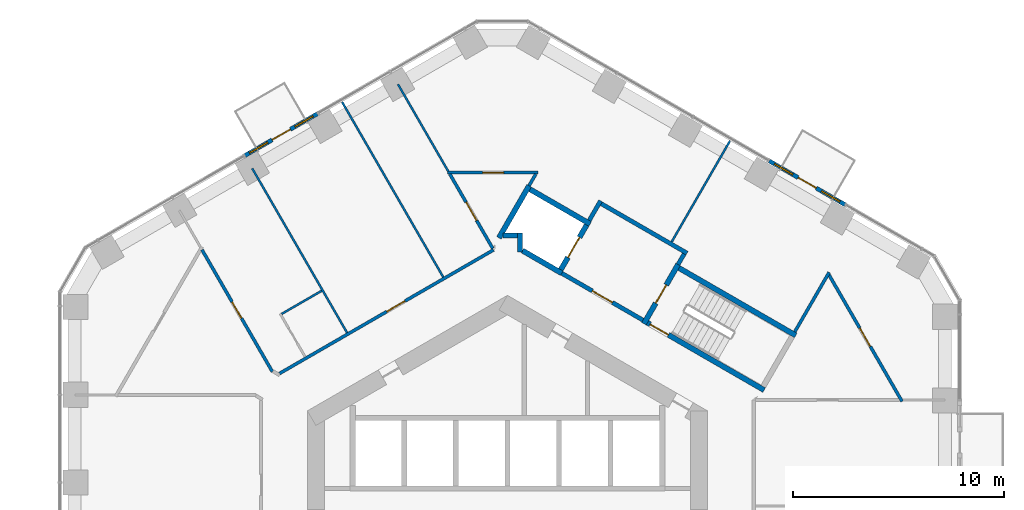
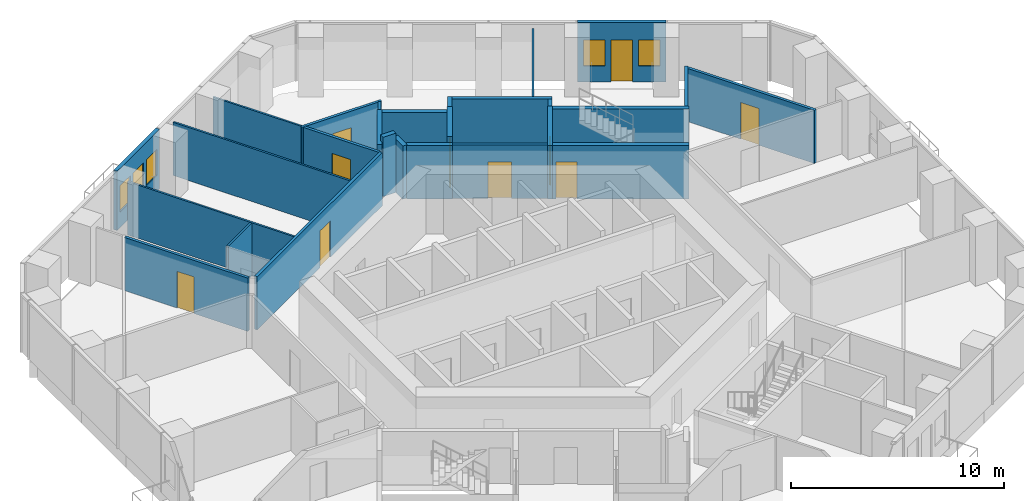
# One storey, part 15 of 19: 27 walls, 11 doors, 4 windows, 15 openings.
"""IFC4 building model written with IfcOpenShell, lengths in metres."""

from ifc_helpers import new_model, si_unit, direction, frame, frame_2d, origin, place, context, subcontext, project, spatial, rectangle, extrude, material, layer, layer_set, type_object, element, fill, save


model = new_model("IFC4")

# Units and contexts
model_context = context("Model", 3, precision=1e-05, world=origin(), true_north=direction((0.0, 1.0)))
body_context = subcontext(model_context, "Body", "Model", "MODEL_VIEW")
ifc_project = project(units=[si_unit("LENGTHUNIT", "METRE"), si_unit("AREAUNIT", "SQUARE_METRE"), si_unit("VOLUMEUNIT", "CUBIC_METRE"), si_unit("PLANEANGLEUNIT", "RADIAN"), si_unit("MASSUNIT", "GRAM", prefix="KILO")], contexts=[model_context])

# Site, building, storey
site_placement = place(None, origin())
site = spatial("IfcSite", under=ifc_project, at=site_placement, CompositionType="ELEMENT")
building_placement = place(site_placement, origin())
building = spatial("IfcBuilding", under=site, at=building_placement, Name="Ayvan Gate Tower", CompositionType="ELEMENT")
storey_placement = place(building_placement, frame((0.0, 0.0, 39.10009765625)))
storey = spatial("IfcBuildingStorey", under=building, at=storey_placement, Name="L09", CompositionType="ELEMENT", Elevation=39.10009765625)

# Wall, openings, door, windows
ifc_material_1 = material(Name="Insulated metal panel wall")
ifc_layer_1 = layer(ifc_material_1, 0.199951171875)
ifc_layer_set_1 = layer_set([ifc_layer_1], Name="Insulated metal panel wall")
wall_type_1 = type_object("IfcWallType", Name="Balcony door wall 200", PredefinedType="SOLIDWALL", material=ifc_layer_set_1)
wall_1_placement = place(storey_placement, frame((-9.01708984375, 19.602294921875, 0.0), z_axis=(0.0, 0.0, 1.0), x_axis=(-0.866017214255, -0.500014184414, 0.0)))
wall_1 = element("IfcWall", 1, at=wall_1_placement, inside=storey, type_object=wall_type_1, Name="EW:L09:2:2", PredefinedType="SOLIDWALL", context=body_context, shape_type="SweptSolid", body=[
    extrude(rectangle(XDim=3.984375, YDim=0.199951171875, at=frame_2d((1.9921875, 0.0))), origin(), (0.0, 0.0, 1.0), 3.39990234375),
])
opening_1_placement = place(wall_1_placement, frame((1.491943359375, 0.0, 0.0)))
opening_1 = element("IfcOpeningElement", 2, at=opening_1_placement, cuts=wall_1, Name="Opening L09-D92", PredefinedType="OPENING", context=body_context, shape_type="SweptSolid", body=[
    extrude(rectangle(XDim=1.0, YDim=2.39990234375, at=frame_2d((0.5, 1.199951171875))), frame((0.0, 0.10986328125, 0.0), z_axis=(0.0, -1.0, 0.0), x_axis=(1.0, 0.0, 0.0)), (0.0, 0.0, 1.0), 0.219970703125),
])
opening_2_placement = place(wall_1_placement, frame((0.24609375, 0.0, 0.89990234375)))
opening_2 = element("IfcOpeningElement", 3, at=opening_2_placement, cuts=wall_1, Name="Opening W-B1", PredefinedType="OPENING", context=body_context, shape_type="SweptSolid", body=[
    extrude(rectangle(XDim=1.0, YDim=1.5, at=frame_2d((0.5, 0.75))), frame((0.0, 0.10986328125, 0.0), z_axis=(0.0, -1.0, 0.0), x_axis=(1.0, 0.0, 0.0)), (0.0, 0.0, 1.0), 0.219970703125),
])
opening_3_placement = place(wall_1_placement, frame((2.738037109375, 0.0, 0.89990234375)))
opening_3 = element("IfcOpeningElement", 4, at=opening_3_placement, cuts=wall_1, Name="Opening W-B1", PredefinedType="OPENING", context=body_context, shape_type="SweptSolid", body=[
    extrude(rectangle(XDim=1.0, YDim=1.5, at=frame_2d((0.5, 0.75))), frame((0.0, 0.10986328125, 0.0), z_axis=(0.0, -1.0, 0.0), x_axis=(1.0, 0.0, 0.0)), (0.0, 0.0, 1.0), 0.219970703125),
])
ifc_material_2 = material(Name="Bronze anodised aluminium and clear glass", Category="aluminium")
door_type_1 = type_object("IfcDoorType", Name="Balcony door D-B", OperationType="SINGLE_SWING_RIGHT", PredefinedType="DOOR", material=ifc_material_2)
door_1_placement = place(opening_1_placement, origin())
door_1 = element("IfcDoor", 5, at=door_1_placement, inside=storey, type_object=door_type_1, Name="Balcony door BAL-L09-2", OperationType="SINGLE_SWING_RIGHT", OverallHeight=2.39990234375, OverallWidth=1.0, PredefinedType="DOOR", context=body_context, shape_type="SweptSolid", body=[
    extrude(rectangle(XDim=1.0, YDim=2.39990234375, at=frame_2d((0.5, 1.199951171875))), frame((0.0, 0.02490234375, 0.0), z_axis=(0.0, -1.0, 0.0), x_axis=(1.0, 0.0, 0.0)), (0.0, 0.0, 1.0), 0.050048828125),
])
fill(opening_1, door_1)
window_type = type_object("IfcWindowType", Name="Balcony side light W-B Z1", PartitioningType="SINGLE_PANEL", PredefinedType="WINDOW", material=ifc_material_2)
window_1_placement = place(opening_2_placement, origin())
window_1 = element("IfcWindow", 6, at=window_1_placement, inside=storey, type_object=window_type, Name="Balcony side light BAL-L09-2.1", OverallHeight=1.5, OverallWidth=1.0, PartitioningType="SINGLE_PANEL", PredefinedType="WINDOW", context=body_context, shape_type="SweptSolid", body=[
    extrude(rectangle(XDim=1.0, YDim=1.5, at=frame_2d((0.5, 0.75))), frame((0.0, 0.030029296875, 0.0), z_axis=(0.0, -1.0, 0.0), x_axis=(1.0, 0.0, 0.0)), (0.0, 0.0, 1.0), 0.06005859375),
])
fill(opening_2, window_1)
window_2_placement = place(opening_3_placement, origin())
window_2 = element("IfcWindow", 7, at=window_2_placement, inside=storey, type_object=window_type, Name="Balcony side light BAL-L09-2.2", OverallHeight=1.5, OverallWidth=1.0, PartitioningType="SINGLE_PANEL", PredefinedType="WINDOW", context=body_context, shape_type="SweptSolid", body=[
    extrude(rectangle(XDim=1.0, YDim=1.5, at=frame_2d((0.5, 0.75))), frame((0.0, 0.030029296875, 0.0), z_axis=(0.0, -1.0, 0.0), x_axis=(1.0, 0.0, 0.0)), (0.0, 0.0, 1.0), 0.06005859375),
])
fill(opening_3, window_2)

wall_2_placement = place(storey_placement, frame((16.0390625, 15.274169921875, 0.0), z_axis=(0.0, 0.0, 1.0), x_axis=(-0.866036386482, 0.499980976928, 0.0)))
wall_2 = element("IfcWall", 8, at=wall_2_placement, inside=storey, type_object=wall_type_1, Name="EW:L09:1:1", PredefinedType="SOLIDWALL", context=body_context, shape_type="SweptSolid", body=[
    extrude(rectangle(XDim=4.169189453125, YDim=0.199951171875, at=frame_2d((2.08447265625, 0.0))), origin(), (0.0, 0.0, 1.0), 3.39990234375),
])
opening_4_placement = place(wall_2_placement, frame((1.58447265625, 0.0, 0.0)))
opening_4 = element("IfcOpeningElement", 9, at=opening_4_placement, cuts=wall_2, Name="Opening L09-D91", PredefinedType="OPENING", context=body_context, shape_type="SweptSolid", body=[
    extrude(rectangle(XDim=1.0, YDim=2.39990234375, at=frame_2d((0.5, 1.199951171875))), frame((0.0, 0.10986328125, 0.0), z_axis=(0.0, -1.0, 0.0), x_axis=(1.0, 0.0, 0.0)), (0.0, 0.0, 1.0), 0.219970703125),
])
opening_5_placement = place(wall_2_placement, frame((0.292236328125, 0.0, 0.89990234375)))
opening_5 = element("IfcOpeningElement", 10, at=opening_5_placement, cuts=wall_2, Name="Opening W-B1", PredefinedType="OPENING", context=body_context, shape_type="SweptSolid", body=[
    extrude(rectangle(XDim=1.0, YDim=1.5, at=frame_2d((0.5, 0.75))), frame((0.0, 0.10986328125, 0.0), z_axis=(0.0, -1.0, 0.0), x_axis=(1.0, 0.0, 0.0)), (0.0, 0.0, 1.0), 0.219970703125),
])
opening_6_placement = place(wall_2_placement, frame((2.876708984375, 0.0, 0.89990234375)))
opening_6 = element("IfcOpeningElement", 11, at=opening_6_placement, cuts=wall_2, Name="Opening W-B1", PredefinedType="OPENING", context=body_context, shape_type="SweptSolid", body=[
    extrude(rectangle(XDim=1.0, YDim=1.5, at=frame_2d((0.5, 0.75))), frame((0.0, 0.10986328125, 0.0), z_axis=(0.0, -1.0, 0.0), x_axis=(1.0, 0.0, 0.0)), (0.0, 0.0, 1.0), 0.219970703125),
])
door_2_placement = place(opening_4_placement, origin())
door_2 = element("IfcDoor", 12, at=door_2_placement, inside=storey, type_object=door_type_1, Name="Balcony door BAL-L09-1", OperationType="SINGLE_SWING_RIGHT", OverallHeight=2.39990234375, OverallWidth=1.0, PredefinedType="DOOR", context=body_context, shape_type="SweptSolid", body=[
    extrude(rectangle(XDim=1.0, YDim=2.39990234375, at=frame_2d((0.5, 1.199951171875))), frame((0.0, 0.02490234375, 0.0), z_axis=(0.0, -1.0, 0.0), x_axis=(1.0, 0.0, 0.0)), (0.0, 0.0, 1.0), 0.050048828125),
])
fill(opening_4, door_2)
window_3_placement = place(opening_5_placement, origin())
window_3 = element("IfcWindow", 13, at=window_3_placement, inside=storey, type_object=window_type, Name="Balcony side light BAL-L09-1.1", OverallHeight=1.5, OverallWidth=1.0, PartitioningType="SINGLE_PANEL", PredefinedType="WINDOW", context=body_context, shape_type="SweptSolid", body=[
    extrude(rectangle(XDim=1.0, YDim=1.5, at=frame_2d((0.5, 0.75))), frame((0.0, 0.030029296875, 0.0), z_axis=(0.0, -1.0, 0.0), x_axis=(1.0, 0.0, 0.0)), (0.0, 0.0, 1.0), 0.06005859375),
])
fill(opening_5, window_3)
window_4_placement = place(opening_6_placement, origin())
window_4 = element("IfcWindow", 14, at=window_4_placement, inside=storey, type_object=window_type, Name="Balcony side light BAL-L09-1.2", OverallHeight=1.5, OverallWidth=1.0, PartitioningType="SINGLE_PANEL", PredefinedType="WINDOW", context=body_context, shape_type="SweptSolid", body=[
    extrude(rectangle(XDim=1.0, YDim=1.5, at=frame_2d((0.5, 0.75))), frame((0.0, 0.030029296875, 0.0), z_axis=(0.0, -1.0, 0.0), x_axis=(1.0, 0.0, 0.0)), (0.0, 0.0, 1.0), 0.06005859375),
])
fill(opening_6, window_4)

# Wall, opening, door
ifc_material_3 = material(Name="Plasterboard on steel stud", Category="steel")
ifc_layer_2 = layer(ifc_material_3, 0.14990234375)
ifc_layer_set_2 = layer_set([ifc_layer_2], Name="Plasterboard on steel stud")
wall_type_2 = type_object("IfcWallType", Name="WT-CORR-150", PredefinedType="PARTITIONING", material=ifc_layer_set_2)
wall_3_placement = place(storey_placement, frame((-14.5087890625, 13.1376953125, 0.0), z_axis=(0.0, 0.0, 1.0), x_axis=(0.499975272495, -0.866039679746, 0.0)))
wall_3 = element("IfcWall", 15, at=wall_3_placement, inside=storey, type_object=wall_type_2, Name="IW-L09-009", PredefinedType="PARTITIONING", context=body_context, shape_type="SweptSolid", body=[
    extrude(rectangle(XDim=6.687255859375, YDim=0.14990234375, at=frame_2d((3.34375, 0.0))), origin(), (0.0, 0.0, 1.0), 3.0498046875),
])
opening_7_placement = place(wall_3_placement, frame((2.856201171875, 0.0, 0.0)))
opening_7 = element("IfcOpeningElement", 16, at=opening_7_placement, cuts=wall_3, Name="Opening L09-D35", PredefinedType="OPENING", context=body_context, shape_type="SweptSolid", body=[
    extrude(rectangle(XDim=0.89990234375, YDim=2.10009765625, at=frame_2d((0.449951171875, 1.050048828125))), frame((0.0, 0.0849609375, 0.0), z_axis=(0.0, -1.0, 0.0), x_axis=(1.0, 0.0, 0.0)), (0.0, 0.0, 1.0), 0.169921875),
])
ifc_material_4 = material(Name="Timber door leaf", Category="wood")
door_type_2 = type_object("IfcDoorType", Name="DT-900", OperationType="NOTDEFINED", PredefinedType="DOOR", material=ifc_material_4)
door_3_placement = place(opening_7_placement, origin())
door_3 = element("IfcDoor", 17, at=door_3_placement, inside=storey, type_object=door_type_2, Name="ID-L09-035", OperationType="SINGLE_SWING_RIGHT", OverallHeight=2.10009765625, OverallWidth=0.89990234375, PredefinedType="DOOR", context=body_context, shape_type="SweptSolid", body=[
    extrude(rectangle(XDim=0.89990234375, YDim=2.10009765625, at=frame_2d((0.449951171875, 1.050048828125))), frame((0.0, 0.02490234375, 0.0), z_axis=(0.0, -1.0, 0.0), x_axis=(1.0, 0.0, 0.0)), (0.0, 0.0, 1.0), 0.050048828125),
])
fill(opening_7, door_3)

wall_4_placement = place(storey_placement, frame((-10.82763671875, 7.258544921875, 0.0), z_axis=(0.0, 0.0, 1.0), x_axis=(0.866023917287, 0.50000257468, 0.0)))
wall_4 = element("IfcWall", 18, at=wall_4_placement, inside=storey, type_object=wall_type_2, Name="IW-L09-022", PredefinedType="PARTITIONING", context=body_context, shape_type="SweptSolid", body=[
    extrude(rectangle(XDim=11.744140625, YDim=0.14990234375, at=frame_2d((5.8720703125, 0.0))), origin(), (0.0, 0.0, 1.0), 3.0498046875),
])
opening_8_placement = place(wall_4_placement, frame((5.887451171875, 0.0, 0.0)))
opening_8 = element("IfcOpeningElement", 19, at=opening_8_placement, cuts=wall_4, Name="Opening L09-D34", PredefinedType="OPENING", context=body_context, shape_type="SweptSolid", body=[
    extrude(rectangle(XDim=1.0, YDim=2.10009765625, at=frame_2d((0.5, 1.050048828125))), frame((0.0, 0.0849609375, 0.0), z_axis=(0.0, -1.0, 0.0), x_axis=(1.0, 0.0, 0.0)), (0.0, 0.0, 1.0), 0.169921875),
])
door_type_3 = type_object("IfcDoorType", Name="DT-1000", OperationType="NOTDEFINED", PredefinedType="DOOR", material=ifc_material_4)
door_4_placement = place(opening_8_placement, origin())
door_4 = element("IfcDoor", 20, at=door_4_placement, inside=storey, type_object=door_type_3, Name="ID-L09-034", OperationType="SINGLE_SWING_LEFT", OverallHeight=2.10009765625, OverallWidth=1.0, PredefinedType="DOOR", context=body_context, shape_type="SweptSolid", body=[
    extrude(rectangle(XDim=1.0, YDim=2.10009765625, at=frame_2d((0.5, 1.050048828125))), frame((0.0, 0.02490234375, 0.0), z_axis=(0.0, -1.0, 0.0), x_axis=(1.0, 0.0, 0.0)), (0.0, 0.0, 1.0), 0.050048828125),
])
fill(opening_8, door_4)

wall_5_placement = place(storey_placement, frame((-2.849853515625, 16.798828125, 0.0), z_axis=(0.0, 0.0, 1.0), x_axis=(1.0, 0.0, 0.0)))
wall_5 = element("IfcWall", 21, at=wall_5_placement, inside=storey, type_object=wall_type_2, Name="IW-L09-051", PredefinedType="PARTITIONING", context=body_context, shape_type="SweptSolid", body=[
    extrude(rectangle(XDim=4.309814453125, YDim=0.14990234375, at=frame_2d((2.15478515625, 0.0))), origin(), (0.0, 0.0, 1.0), 3.0498046875),
])
opening_9_placement = place(wall_5_placement, frame((1.672119140625, 0.0, 0.0)))
opening_9 = element("IfcOpeningElement", 22, at=opening_9_placement, cuts=wall_5, Name="Opening L09-D20", PredefinedType="OPENING", context=body_context, shape_type="SweptSolid", body=[
    extrude(rectangle(XDim=1.0, YDim=2.10009765625, at=frame_2d((0.5, 1.050048828125))), frame((0.0, 0.0849609375, 0.0), z_axis=(0.0, -1.0, 0.0), x_axis=(1.0, 0.0, 0.0)), (0.0, 0.0, 1.0), 0.169921875),
])
door_5_placement = place(opening_9_placement, origin())
door_5 = element("IfcDoor", 23, at=door_5_placement, inside=storey, type_object=door_type_3, Name="ID-L09-020", OperationType="SINGLE_SWING_LEFT", OverallHeight=2.10009765625, OverallWidth=1.0, PredefinedType="DOOR", context=body_context, shape_type="SweptSolid", body=[
    extrude(rectangle(XDim=1.0, YDim=2.10009765625, at=frame_2d((0.5, 1.050048828125))), frame((0.0, 0.02490234375, 0.0), z_axis=(0.0, -1.0, 0.0), x_axis=(1.0, 0.0, 0.0)), (0.0, 0.0, 1.0), 0.050048828125),
])
fill(opening_9, door_5)

wall_6_placement = place(storey_placement, frame((-0.695068359375, 13.1962890625, 0.0), z_axis=(0.0, 0.0, 1.0), x_axis=(-0.49996389635, 0.866046247233, 0.0)))
wall_6 = element("IfcWall", 24, at=wall_6_placement, inside=storey, type_object=wall_type_2, Name="IW-L09-058", PredefinedType="PARTITIONING", context=body_context, shape_type="SweptSolid", body=[
    extrude(rectangle(XDim=4.084716796875, YDim=0.14990234375, at=frame_2d((2.04248046875, 0.0))), origin(), (0.0, 0.0, 1.0), 3.0498046875),
])
opening_10_placement = place(wall_6_placement, frame((1.54248046875, 0.0, 0.0)))
opening_10 = element("IfcOpeningElement", 25, at=opening_10_placement, cuts=wall_6, Name="Opening L09-D33", PredefinedType="OPENING", context=body_context, shape_type="SweptSolid", body=[
    extrude(rectangle(XDim=1.0, YDim=2.10009765625, at=frame_2d((0.5, 1.050048828125))), frame((0.0, 0.0849609375, 0.0), z_axis=(0.0, -1.0, 0.0), x_axis=(1.0, 0.0, 0.0)), (0.0, 0.0, 1.0), 0.169921875),
])
door_6_placement = place(opening_10_placement, origin())
door_6 = element("IfcDoor", 26, at=door_6_placement, inside=storey, type_object=door_type_3, Name="ID-L09-033", OperationType="SINGLE_SWING_RIGHT", OverallHeight=2.10009765625, OverallWidth=1.0, PredefinedType="DOOR", context=body_context, shape_type="SweptSolid", body=[
    extrude(rectangle(XDim=1.0, YDim=2.10009765625, at=frame_2d((0.5, 1.050048828125))), frame((0.0, 0.02490234375, 0.0), z_axis=(0.0, -1.0, 0.0), x_axis=(1.0, 0.0, 0.0)), (0.0, 0.0, 1.0), 0.050048828125),
])
fill(opening_10, door_6)

# Walls
wall_7_placement = place(storey_placement, frame((1.347412109375, 16.73388671875, 0.0), z_axis=(0.0, 0.0, 1.0), x_axis=(-0.499909361484, -0.866077727632, 0.0)))
element("IfcWall", 27, at=wall_7_placement, inside=storey, type_object=wall_type_2, Name="IW-L09-070", PredefinedType="PARTITIONING", context=body_context, shape_type="SweptSolid", body=[
    extrude(rectangle(XDim=0.640625, YDim=0.14990234375, at=frame_2d((0.3203125, 0.0))), origin(), (0.0, 0.0, 1.0), 3.0498046875),
])
wall_8_placement = place(storey_placement, frame((13.647705078125, 9.23876953125, 0.0), z_axis=(0.0, 0.0, 1.0), x_axis=(0.500026945261, 0.866009846372, 0.0)))
element("IfcWall", 28, at=wall_8_placement, inside=storey, type_object=wall_type_2, Name="IW-L09-110", PredefinedType="PARTITIONING", context=body_context, shape_type="SweptSolid", body=[
    extrude(rectangle(XDim=3.261962890625, YDim=0.14990234375, at=frame_2d((1.630859375, 0.0))), origin(), (0.0, 0.0, 1.0), 3.0498046875),
])

# Wall, opening, door
wall_9_placement = place(storey_placement, frame((15.27880859375, 11.933837890625, 0.0), z_axis=(0.0, 0.0, 1.0), x_axis=(0.500007034647, -0.866021342291, 0.0)))
wall_9 = element("IfcWall", 29, at=wall_9_placement, inside=storey, type_object=wall_type_2, Name="IW-L09-113", PredefinedType="PARTITIONING", context=body_context, shape_type="SweptSolid", body=[
    extrude(rectangle(XDim=6.93115234375, YDim=0.14990234375, at=frame_2d((3.465576171875, 0.0))), origin(), (0.0, 0.0, 1.0), 3.0498046875),
])
opening_11_placement = place(wall_9_placement, frame((2.91064453125, 0.0, 0.0)))
opening_11 = element("IfcOpeningElement", 30, at=opening_11_placement, cuts=wall_9, Name="Opening L09-D19", PredefinedType="OPENING", context=body_context, shape_type="SweptSolid", body=[
    extrude(rectangle(XDim=1.0, YDim=2.10009765625, at=frame_2d((0.5, 1.050048828125))), frame((0.0, 0.0849609375, 0.0), z_axis=(0.0, -1.0, 0.0), x_axis=(1.0, 0.0, 0.0)), (0.0, 0.0, 1.0), 0.169921875),
])
door_7_placement = place(opening_11_placement, origin())
door_7 = element("IfcDoor", 31, at=door_7_placement, inside=storey, type_object=door_type_3, Name="ID-L09-019", OperationType="SINGLE_SWING_RIGHT", OverallHeight=2.10009765625, OverallWidth=1.0, PredefinedType="DOOR", context=body_context, shape_type="SweptSolid", body=[
    extrude(rectangle(XDim=1.0, YDim=2.10009765625, at=frame_2d((0.5, 1.050048828125))), frame((0.0, 0.02490234375, 0.0), z_axis=(0.0, -1.0, 0.0), x_axis=(1.0, 0.0, 0.0)), (0.0, 0.0, 1.0), 0.050048828125),
])
fill(opening_11, door_7)

# Walls
ifc_layer_3 = layer(ifc_material_3, 0.10009765625)
ifc_layer_set_3 = layer_set([ifc_layer_3], Name="Plasterboard on steel stud")
wall_type_3 = type_object("IfcWallType", Name="WT-PART-100", PredefinedType="PARTITIONING", material=ifc_layer_set_3)
wall_10_placement = place(storey_placement, frame((-8.82421875, 11.1865234375, 0.0), z_axis=(0.0, 0.0, 1.0), x_axis=(-0.866046828231, -0.499962889934, 0.0)))
element("IfcWall", 32, at=wall_10_placement, inside=storey, type_object=wall_type_3, Name="IW-L09-027", PredefinedType="PARTITIONING", context=body_context, shape_type="SweptSolid", body=[
    extrude(rectangle(XDim=2.197509765625, YDim=0.10009765625, at=frame_2d((1.0986328125, 0.0))), origin(), (0.0, 0.0, 1.0), 3.0498046875),
])
wall_11_placement = place(storey_placement, frame((-12.123291015625, 17.00048828125, 0.0), z_axis=(0.0, 0.0, 1.0), x_axis=(0.500009404554, -0.866019973994, 0.0)))
element("IfcWall", 33, at=wall_11_placement, inside=storey, type_object=wall_type_3, Name="IW-L09-028", PredefinedType="PARTITIONING", context=body_context, shape_type="SweptSolid", body=[
    extrude(rectangle(XDim=9.009521484375, YDim=0.10009765625, at=frame_2d((4.5048828125, 0.0))), origin(), (0.0, 0.0, 1.0), 3.0498046875),
])
wall_12_placement = place(storey_placement, frame((-3.048583984375, 11.83642578125, 0.0), z_axis=(0.0, 0.0, 1.0), x_axis=(-0.500018000043, 0.866015011206, 0.0)))
element("IfcWall", 34, at=wall_12_placement, inside=storey, type_object=wall_type_3, Name="IW-L09-049", PredefinedType="PARTITIONING", context=body_context, shape_type="SweptSolid", body=[
    extrude(rectangle(XDim=9.605712890625, YDim=0.10009765625, at=frame_2d((4.802734375, 0.0))), origin(), (0.0, 0.0, 1.0), 3.0498046875),
])
wall_13_placement = place(storey_placement, frame((-2.8125, 16.86376953125, 0.0), z_axis=(0.0, 0.0, 1.0), x_axis=(-0.49998363006, 0.866034854768, 0.0)))
element("IfcWall", 35, at=wall_13_placement, inside=storey, type_object=wall_type_3, Name="IW-L09-050", PredefinedType="PARTITIONING", context=body_context, shape_type="SweptSolid", body=[
    extrude(rectangle(XDim=4.774169921875, YDim=0.10009765625, at=frame_2d((2.38720703125, 0.0))), origin(), (0.0, 0.0, 1.0), 3.0498046875),
])
wall_14_placement = place(storey_placement, frame((7.800048828125, 13.510009765625, 0.0), z_axis=(0.0, 0.0, 1.0), x_axis=(0.4999855202, 0.866033763539, 0.0)))
element("IfcWall", 36, at=wall_14_placement, inside=storey, type_object=wall_type_3, Name="IW-L09-094", PredefinedType="PARTITIONING", context=body_context, shape_type="SweptSolid", body=[
    extrude(rectangle(XDim=5.543212890625, YDim=0.10009765625, at=frame_2d((2.771484375, 0.0))), origin(), (0.0, 0.0, 1.0), 3.0498046875),
])
ifc_layer_4 = layer(ifc_material_3, 0.199951171875)
ifc_layer_set_4 = layer_set([ifc_layer_4], Name="Plasterboard on steel stud")
wall_type_4 = type_object("IfcWallType", Name="WT-RATED-200", PredefinedType="PARTITIONING", material=ifc_layer_set_4)
wall_15_placement = place(storey_placement, frame((3.885009765625, 14.52880859375, 0.0), z_axis=(0.0, 0.0, 1.0), x_axis=(0.499997628298, 0.866026773083, 0.0)))
element("IfcWall", 37, at=wall_15_placement, inside=storey, type_object=wall_type_4, Name="IW-L09-082", PredefinedType="PARTITIONING", context=body_context, shape_type="SweptSolid", body=[
    extrude(rectangle(XDim=1.0751953125, YDim=0.199951171875, at=frame_2d((0.53759765625, 0.0))), origin(), (0.0, 0.0, 1.0), 3.0498046875),
])
wall_16_placement = place(storey_placement, frame((4.458984375, 15.323486328125, 0.0), z_axis=(0.0, 0.0, 1.0), x_axis=(0.866016039709, -0.500016218704, 0.0)))
element("IfcWall", 38, at=wall_16_placement, inside=storey, type_object=wall_type_4, Name="IW-L09-083", PredefinedType="PARTITIONING", context=body_context, shape_type="SweptSolid", body=[
    extrude(rectangle(XDim=4.699951171875, YDim=0.199951171875, at=frame_2d((2.35009765625, 0.0))), origin(), (0.0, 0.0, 1.0), 3.0498046875),
])

# Wall, opening, door
wall_17_placement = place(storey_placement, frame((6.4345703125, 9.794921875, 0.0), z_axis=(0.0, 0.0, 1.0), x_axis=(-0.866012907634, 0.500021643343, 0.0)))
wall_17 = element("IfcWall", 39, at=wall_17_placement, inside=storey, type_object=wall_type_4, Name="IW-L09-086", PredefinedType="PARTITIONING", context=body_context, shape_type="SweptSolid", body=[
    extrude(rectangle(XDim=4.449951171875, YDim=0.199951171875, at=frame_2d((2.22509765625, 0.0))), origin(), (0.0, 0.0, 1.0), 3.0498046875),
])
opening_12_placement = place(wall_17_placement, frame((1.675048828125, 0.0, 0.0)))
opening_12 = element("IfcOpeningElement", 40, at=opening_12_placement, cuts=wall_17, Name="Opening L09-D08", PredefinedType="OPENING", context=body_context, shape_type="SweptSolid", body=[
    extrude(rectangle(XDim=1.10009765625, YDim=2.10009765625, at=frame_2d((0.550048828125, 1.050048828125))), frame((0.0, 0.10986328125, 0.0), z_axis=(0.0, -1.0, 0.0), x_axis=(1.0, 0.0, 0.0)), (0.0, 0.0, 1.0), 0.219970703125),
])
door_type_4 = type_object("IfcDoorType", Name="DT-1100", OperationType="NOTDEFINED", PredefinedType="DOOR", material=ifc_material_4)
door_8_placement = place(opening_12_placement, origin())
door_8 = element("IfcDoor", 41, at=door_8_placement, inside=storey, type_object=door_type_4, Name="ID-L09-008", OperationType="SINGLE_SWING_LEFT", OverallHeight=2.10009765625, OverallWidth=1.10009765625, PredefinedType="DOOR", context=body_context, shape_type="SweptSolid", body=[
    extrude(rectangle(XDim=1.10009765625, YDim=2.10009765625, at=frame_2d((0.550048828125, 1.050048828125))), frame((0.0, 0.02490234375, 0.0), z_axis=(0.0, -1.0, 0.0), x_axis=(1.0, 0.0, 0.0)), (0.0, 0.0, 1.0), 0.050048828125),
])
fill(opening_12, door_8)

# Walls
wall_18_placement = place(storey_placement, frame((8.392822265625, 12.936767578125, 0.0), z_axis=(0.0, 0.0, 1.0), x_axis=(-0.500065409566, -0.86598763626, 0.0)))
element("IfcWall", 42, at=wall_18_placement, inside=storey, type_object=wall_type_4, Name="IW-L09-096", PredefinedType="PARTITIONING", context=body_context, shape_type="SweptSolid", body=[
    extrude(rectangle(XDim=0.5751953125, YDim=0.199951171875, at=frame_2d((0.28759765625, 0.0))), origin(), (0.0, 0.0, 1.0), 3.0498046875),
])
ifc_material_5 = material(Name="Concrete C50/60", Category="concrete")
ifc_layer_5 = layer(ifc_material_5, 0.25)
ifc_layer_set_5 = layer_set([ifc_layer_5], Name="Concrete C50/60")
wall_type_5 = type_object("IfcWallType", Name="WT-RC-250", PredefinedType="SHEAR", material=ifc_layer_set_5)
wall_19_placement = place(storey_placement, frame((-0.403076171875, 13.70166015625, 0.0), z_axis=(0.0, 0.0, 1.0), x_axis=(0.499976111731, 0.866039195244, 0.0)))
element("IfcWall", 43, at=wall_19_placement, inside=storey, type_object=wall_type_5, Name="IW-L09-062", PredefinedType="SHEAR", context=body_context, shape_type="SweptSolid", body=[
    extrude(rectangle(XDim=2.860595703125, YDim=0.25, at=frame_2d((1.43017578125, 0.0))), origin(), (0.0, 0.0, 1.0), 3.0498046875),
])
wall_20_placement = place(storey_placement, frame((0.60009765625, 13.03857421875, 0.0), z_axis=(0.0, 0.0, 1.0), x_axis=(0.0, 1.0, 0.0)))
element("IfcWall", 44, at=wall_20_placement, inside=storey, type_object=wall_type_5, Name="IW-L09-066", PredefinedType="SHEAR", context=body_context, shape_type="SweptSolid", body=[
    extrude(rectangle(XDim=0.896484375, YDim=0.25, at=frame_2d((0.4482421875, 0.0))), origin(), (0.0, 0.0, 1.0), 3.0498046875),
])
wall_21_placement = place(storey_placement, frame((0.47509765625, 13.81005859375, 0.0), z_axis=(0.0, 0.0, 1.0), x_axis=(-1.0, 0.0, 0.0)))
element("IfcWall", 45, at=wall_21_placement, inside=storey, type_object=wall_type_5, Name="IW-L09-067", PredefinedType="SHEAR", context=body_context, shape_type="SweptSolid", body=[
    extrude(rectangle(XDim=0.690673828125, YDim=0.25, at=frame_2d((0.34521484375, 0.0))), origin(), (0.0, 0.0, 1.0), 3.39990234375),
])
wall_22_placement = place(storey_placement, frame((1.072998046875, 16.00830078125, 0.0), z_axis=(0.0, 0.0, 1.0), x_axis=(0.866040211805, -0.499974350878, 0.0)))
element("IfcWall", 46, at=wall_22_placement, inside=storey, type_object=wall_type_5, Name="IW-L09-069", PredefinedType="SHEAR", context=body_context, shape_type="SweptSolid", body=[
    extrude(rectangle(XDim=3.300048828125, YDim=0.25, at=frame_2d((1.64990234375, 0.0))), origin(), (0.0, 0.0, 1.0), 3.0498046875),
])
wall_23_placement = place(storey_placement, frame((2.580810546875, 12.02001953125, 0.0), z_axis=(0.0, 0.0, 1.0), x_axis=(-0.86603892542, 0.499976579108, 0.0)))
element("IfcWall", 47, at=wall_23_placement, inside=storey, type_object=wall_type_5, Name="IW-L09-074", PredefinedType="SHEAR", context=body_context, shape_type="SweptSolid", body=[
    extrude(rectangle(XDim=2.162109375, YDim=0.25, at=frame_2d((1.0810546875, 0.0))), origin(), (0.0, 0.0, 1.0), 3.0498046875),
])

# Wall, opening, door
wall_24_placement = place(storey_placement, frame((2.534912109375, 12.19091796875, 0.0), z_axis=(0.0, 0.0, 1.0), x_axis=(0.500061746146, 0.865989751695, 0.0)))
wall_24 = element("IfcWall", 48, at=wall_24_placement, inside=storey, type_object=wall_type_5, Name="IW-L09-075", PredefinedType="SHEAR", context=body_context, shape_type="SweptSolid", body=[
    extrude(rectangle(XDim=2.449951171875, YDim=0.25, at=frame_2d((1.22509765625, 0.0))), origin(), (0.0, 0.0, 1.0), 3.39990234375),
])
opening_13_placement = place(wall_24_placement, frame((0.675048828125, 0.0, 0.0)))
opening_13 = element("IfcOpeningElement", 49, at=opening_13_placement, cuts=wall_24, Name="Opening L09-LD-FF1", PredefinedType="OPENING", context=body_context, shape_type="SweptSolid", body=[
    extrude(rectangle(XDim=1.10009765625, YDim=2.10009765625, at=frame_2d((0.550048828125, 1.050048828125))), frame((0.0, 0.135009765625, 0.0), z_axis=(0.0, -1.0, 0.0), x_axis=(1.0, 0.0, 0.0)), (0.0, 0.0, 1.0), 0.27001953125),
])
ifc_material_6 = material(Name="Stainless steel landing door", Category="steel")
door_type_5 = type_object("IfcDoorType", Name="DT-LANDING-1100", OperationType="SLIDING_TO_LEFT", PredefinedType="DOOR", material=ifc_material_6)
door_9_placement = place(opening_13_placement, origin())
door_9 = element("IfcDoor", 50, at=door_9_placement, inside=storey, type_object=door_type_5, Name="ID-L09-009", OperationType="SLIDING_TO_LEFT", OverallHeight=2.10009765625, OverallWidth=1.10009765625, PredefinedType="DOOR", context=body_context, shape_type="SweptSolid", body=[
    extrude(rectangle(XDim=1.10009765625, YDim=2.10009765625, at=frame_2d((0.550048828125, 1.050048828125))), frame((0.0, 0.02490234375, 0.0), z_axis=(0.0, -1.0, 0.0), x_axis=(1.0, 0.0, 0.0)), (0.0, 0.0, 1.0), 0.050048828125),
])
fill(opening_13, door_9)

wall_25_placement = place(storey_placement, frame((6.480224609375, 9.624267578125, 0.0), z_axis=(0.0, 0.0, 1.0), x_axis=(0.500017246033, 0.866015446554, 0.0)))
wall_25 = element("IfcWall", 51, at=wall_25_placement, inside=storey, type_object=wall_type_5, Name="IW-L09-087", PredefinedType="SHEAR", context=body_context, shape_type="SweptSolid", body=[
    extrude(rectangle(XDim=3.25, YDim=0.25, at=frame_2d((1.625, 0.0))), origin(), (0.0, 0.0, 1.0), 3.0498046875),
])
opening_14_placement = place(wall_25_placement, frame((1.125, 0.0, 0.0)))
opening_14 = element("IfcOpeningElement", 52, at=opening_14_placement, cuts=wall_25, Name="Opening L09-D07", PredefinedType="OPENING", context=body_context, shape_type="SweptSolid", body=[
    extrude(rectangle(XDim=1.0, YDim=2.10009765625, at=frame_2d((0.5, 1.050048828125))), frame((0.0, 0.135009765625, 0.0), z_axis=(0.0, -1.0, 0.0), x_axis=(1.0, 0.0, 0.0)), (0.0, 0.0, 1.0), 0.27001953125),
])
door_10_placement = place(opening_14_placement, origin())
door_10 = element("IfcDoor", 53, at=door_10_placement, inside=storey, type_object=door_type_3, Name="ID-L09-007", OperationType="SINGLE_SWING_RIGHT", OverallHeight=2.10009765625, OverallWidth=1.0, PredefinedType="DOOR", context=body_context, shape_type="SweptSolid", body=[
    extrude(rectangle(XDim=1.0, YDim=2.10009765625, at=frame_2d((0.5, 1.050048828125))), frame((0.0, 0.02490234375, 0.0), z_axis=(0.0, -1.0, 0.0), x_axis=(1.0, 0.0, 0.0)), (0.0, 0.0, 1.0), 0.050048828125),
])
fill(opening_14, door_10)

# Wall
wall_26_placement = place(storey_placement, frame((8.151123046875, 12.26806640625, 0.0), z_axis=(0.0, 0.0, 1.0), x_axis=(0.866025499775, -0.499999833739, 0.0)))
element("IfcWall", 54, at=wall_26_placement, inside=storey, type_object=wall_type_5, Name="IW-L09-095", PredefinedType="SHEAR", context=body_context, shape_type="SweptSolid", body=[
    extrude(rectangle(XDim=6.39990234375, YDim=0.25, at=frame_2d((3.199951171875, 0.0))), origin(), (0.0, 0.0, 1.0), 3.0498046875),
])

# Wall, opening, door
wall_27_placement = place(storey_placement, frame((12.193603515625, 6.469970703125, 0.0), z_axis=(0.0, 0.0, 1.0), x_axis=(-0.866025499775, 0.499999833739, 0.0)))
wall_27 = element("IfcWall", 55, at=wall_27_placement, inside=storey, type_object=wall_type_5, Name="IW-L09-108", PredefinedType="SHEAR", context=body_context, shape_type="SweptSolid", body=[
    extrude(rectangle(XDim=6.39990234375, YDim=0.25, at=frame_2d((3.199951171875, 0.0))), origin(), (0.0, 0.0, 1.0), 3.0498046875),
])
opening_15_placement = place(wall_27_placement, frame((5.25, 0.0, 0.0)))
opening_15 = element("IfcOpeningElement", 56, at=opening_15_placement, cuts=wall_27, Name="Opening L09-D06", PredefinedType="OPENING", context=body_context, shape_type="SweptSolid", body=[
    extrude(rectangle(XDim=1.0, YDim=2.10009765625, at=frame_2d((0.5, 1.050048828125))), frame((0.0, 0.135009765625, 0.0), z_axis=(0.0, -1.0, 0.0), x_axis=(1.0, 0.0, 0.0)), (0.0, 0.0, 1.0), 0.27001953125),
])
door_11_placement = place(opening_15_placement, origin())
door_11 = element("IfcDoor", 57, at=door_11_placement, inside=storey, type_object=door_type_3, Name="ID-L09-006", OperationType="SINGLE_SWING_LEFT", OverallHeight=2.10009765625, OverallWidth=1.0, PredefinedType="DOOR", context=body_context, shape_type="SweptSolid", body=[
    extrude(rectangle(XDim=1.0, YDim=2.10009765625, at=frame_2d((0.5, 1.050048828125))), frame((0.0, 0.02490234375, 0.0), z_axis=(0.0, -1.0, 0.0), x_axis=(1.0, 0.0, 0.0)), (0.0, 0.0, 1.0), 0.050048828125),
])
fill(opening_15, door_11)

save(model, "model.ifc")
